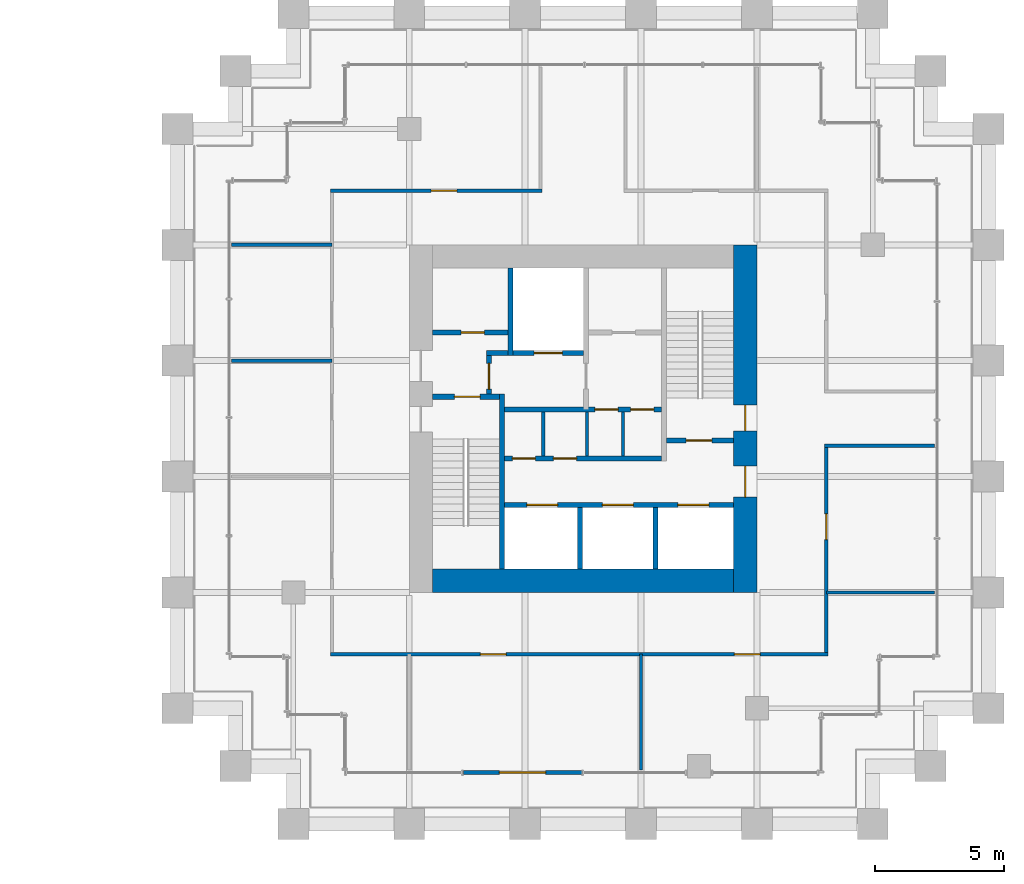
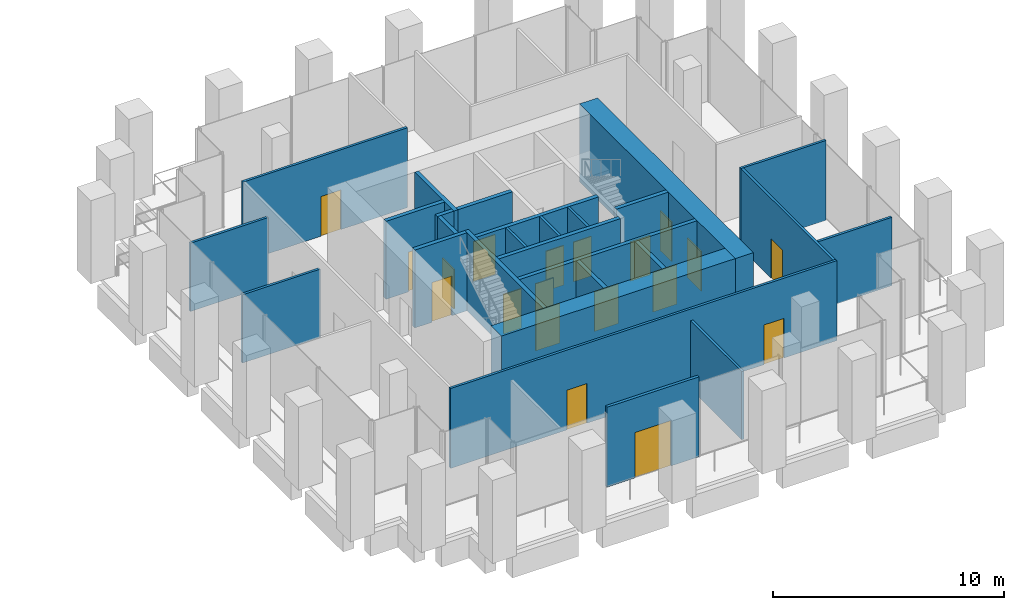
# One storey, part 32 of 36: 27 walls, 19 doors, 19 openings.
"""IFC4 building model written with IfcOpenShell, lengths in metres."""

from ifc_helpers import new_model, si_unit, direction, frame, frame_2d, origin, place, context, subcontext, project, spatial, rectangle, extrude, material, layer, layer_set, type_object, element, fill, save


model = new_model("IFC4")

# Units and contexts
model_context = context("Model", 3, precision=1e-05, world=origin(), true_north=direction((0.0, 1.0)))
body_context = subcontext(model_context, "Body", "Model", "MODEL_VIEW")
ifc_project = project(units=[si_unit("LENGTHUNIT", "METRE"), si_unit("AREAUNIT", "SQUARE_METRE"), si_unit("VOLUMEUNIT", "CUBIC_METRE"), si_unit("PLANEANGLEUNIT", "RADIAN"), si_unit("MASSUNIT", "GRAM", prefix="KILO")], contexts=[model_context])

# Site, building, storey
site_placement = place(None, origin())
site = spatial("IfcSite", under=ifc_project, at=site_placement, CompositionType="ELEMENT")
building_placement = place(site_placement, origin())
building = spatial("IfcBuilding", under=site, at=building_placement, Name="Altepetl Exchange Towers", CompositionType="ELEMENT")
storey_placement = place(building_placement, frame((0.0, 0.0, 38.60009765625)))
storey = spatial("IfcBuildingStorey", under=building, at=storey_placement, Name="L08", CompositionType="ELEMENT", Elevation=38.60009765625)

# Wall, openings, doors
ifc_material_1 = material(Name="Concrete C70/85", Category="concrete")
ifc_layer_1 = layer(ifc_material_1, 0.89990234375)
ifc_layer_set_1 = layer_set([ifc_layer_1], Name="Concrete C70/85")
wall_type_1 = type_object("IfcWallType", Name="Core wall 900 reinforced concrete", PredefinedType="SHEAR", material=ifc_layer_set_1)
wall_1_placement = place(storey_placement, frame((116.550048828125, 36.0, 0.0), z_axis=(0.0, 0.0, 1.0), x_axis=(0.0, 1.0, 0.0)))
wall_1 = element("IfcWall", 1, at=wall_1_placement, inside=storey, type_object=wall_type_1, Name="wall:B:L08:K-coreE", PredefinedType="SHEAR", context=body_context, shape_type="SweptSolid", body=[
    extrude(rectangle(XDim=13.5, YDim=0.89990234375, at=frame_2d((6.75, 0.0))), origin(), (0.0, 0.0, 1.0), 4.125),
])
opening_1_placement = place(wall_1_placement, frame((3.699951171875, 0.0, 0.0)))
opening_1 = element("IfcOpeningElement", 2, at=opening_1_placement, cuts=wall_1, Name="Opening L08.B61", PredefinedType="OPENING", context=body_context, shape_type="SweptSolid", body=[
    extrude(rectangle(XDim=1.199951171875, YDim=2.10009765625, at=frame_2d((0.60009765625, 1.050048828125))), frame((0.0, 0.4599609375, 0.0), z_axis=(0.0, -1.0, 0.0), x_axis=(1.0, 0.0, 0.0)), (0.0, 0.0, 1.0), 0.919921875),
])
opening_2_placement = place(wall_1_placement, frame((6.27490234375, 0.0, 0.0)))
opening_2 = element("IfcOpeningElement", 3, at=opening_2_placement, cuts=wall_1, Name="Opening L08.B65", PredefinedType="OPENING", context=body_context, shape_type="SweptSolid", body=[
    extrude(rectangle(XDim=1.0, YDim=2.10009765625, at=frame_2d((0.5, 1.050048828125))), frame((0.0, 0.4599609375, 0.0), z_axis=(0.0, -1.0, 0.0), x_axis=(1.0, 0.0, 0.0)), (0.0, 0.0, 1.0), 0.919921875),
])
ifc_material_2 = material(Name="Steel and timber fire door", Category="steel")
door_type_1 = type_object("IfcDoorType", Name="Fire door 1000 x 2100 stair and lobby", OperationType="SINGLE_SWING_LEFT", PredefinedType="DOOR", material=ifc_material_2)
door_1_placement = place(opening_2_placement, origin())
door_1 = element("IfcDoor", 4, at=door_1_placement, inside=storey, type_object=door_type_1, Name="door:B:L08:K-dS2x", OperationType="SINGLE_SWING_LEFT", OverallHeight=2.10009765625, OverallWidth=1.0, PredefinedType="DOOR", context=body_context, shape_type="SweptSolid", body=[
    extrude(rectangle(XDim=1.0, YDim=2.10009765625, at=frame_2d((0.5, 1.050048828125))), frame((0.0, 0.02490234375, 0.0), z_axis=(0.0, -1.0, 0.0), x_axis=(1.0, 0.0, 0.0)), (0.0, 0.0, 1.0), 0.050048828125),
])
fill(opening_2, door_1)
door_type_2 = type_object("IfcDoorType", Name="Fire door 1200 x 2100 lobby entry", OperationType="SINGLE_SWING_LEFT", PredefinedType="DOOR", material=ifc_material_2)
door_2_placement = place(opening_1_placement, origin())
door_2 = element("IfcDoor", 5, at=door_2_placement, inside=storey, type_object=door_type_2, Name="door:B:L08:K-dLSE", OperationType="SINGLE_SWING_RIGHT", OverallHeight=2.10009765625, OverallWidth=1.199951171875, PredefinedType="DOOR", context=body_context, shape_type="SweptSolid", body=[
    extrude(rectangle(XDim=1.199951171875, YDim=2.10009765625, at=frame_2d((0.60009765625, 1.050048828125))), frame((0.0, 0.02490234375, 0.0), z_axis=(0.0, -1.0, 0.0), x_axis=(1.0, 0.0, 0.0)), (0.0, 0.0, 1.0), 0.050048828125),
])
fill(opening_1, door_2)

# Wall
wall_2_placement = place(storey_placement, frame((104.39990234375, 36.449951171875, 0.0)))
element("IfcWall", 6, at=wall_2_placement, inside=storey, type_object=wall_type_1, Name="wall:B:L08:K-coreS", PredefinedType="SHEAR", context=body_context, shape_type="SweptSolid", body=[
    extrude(rectangle(XDim=11.7001953125, YDim=0.89990234375, at=frame_2d((5.85009765625, 0.0))), origin(), (0.0, 0.0, 1.0), 4.125),
])

# Wall, opening, door
ifc_material_3 = material(Name="Aluminium composite cladding", Category="aluminium")
ifc_layer_2 = layer(ifc_material_3, 0.14990234375)
ifc_layer_set_2 = layer_set([ifc_layer_2], Name="Aluminium composite cladding")
wall_type_2 = type_object("IfcWallType", Name="Infill wall 150 aluminium panel", PredefinedType="SOLIDWALL", material=ifc_layer_set_2)
wall_3_placement = place(storey_placement, frame((105.60009765625, 29.0, 0.0)))
wall_3 = element("IfcWall", 7, at=wall_3_placement, inside=storey, type_object=wall_type_2, Name="Loggia door bay wall", PredefinedType="SOLIDWALL", context=body_context, shape_type="SweptSolid", body=[
    extrude(rectangle(XDim=4.599853515625, YDim=0.14990234375, at=frame_2d((2.2998046875, 0.0))), origin(), (0.0, 0.0, 1.0), 4.224853515625),
])
opening_3_placement = place(wall_3_placement, frame((1.39990234375, 0.0, 0.0)))
opening_3 = element("IfcOpeningElement", 8, at=opening_3_placement, cuts=wall_3, Name="Opening L08.B90", PredefinedType="OPENING", context=body_context, shape_type="SweptSolid", body=[
    extrude(rectangle(XDim=1.800048828125, YDim=2.39990234375, at=frame_2d((0.89990234375, 1.199951171875))), frame((0.0, 0.0849609375, 0.0), z_axis=(0.0, -1.0, 0.0), x_axis=(1.0, 0.0, 0.0)), (0.0, 0.0, 1.0), 0.169921875),
])
ifc_material_4 = material(Name="Aluminium 6063-T6 and glass", Category="aluminium")
door_type_3 = type_object("IfcDoorType", Name="Glazed door pair 1800x2400", OperationType="DOUBLE_DOOR_DOUBLE_SWING", PredefinedType="NOTDEFINED", material=ifc_material_4)
door_3_placement = place(opening_3_placement, frame((1.800048828125, 0.0, 0.0), x_axis=(-1.0, 0.0, 0.0)))
door_3 = element("IfcDoor", 9, at=door_3_placement, inside=storey, type_object=door_type_3, Name="Loggia door", OperationType="DOUBLE_DOOR_DOUBLE_SWING", OverallHeight=2.39990234375, OverallWidth=1.800048828125, PredefinedType="NOTDEFINED", context=body_context, shape_type="SweptSolid", body=[
    extrude(rectangle(XDim=1.800048828125, YDim=2.39990234375, at=frame_2d((0.89990234375, 1.199951171875))), frame((0.0, 0.02490234375, 0.0), z_axis=(0.0, -1.0, 0.0), x_axis=(1.0, 0.0, 0.0)), (0.0, 0.0, 1.0), 0.050048828125),
])
fill(opening_3, door_3)

# Wall
ifc_material_5 = material(Name="Concrete blockwork", Category="masonry")
ifc_layer_3 = layer(ifc_material_5, 0.199951171875)
ifc_layer_set_3 = layer_set([ifc_layer_3], Name="Concrete blockwork")
wall_type_3 = type_object("IfcWallType", Name="Lobby wall 200 blockwork", PredefinedType="PARTITIONING", material=ifc_layer_set_3)
wall_4_placement = place(storey_placement, frame((106.5, 45.300048828125, 0.0)))
element("IfcWall", 10, at=wall_4_placement, inside=storey, type_object=wall_type_3, Name="wall:B:L08:K-ffNw", PredefinedType="PARTITIONING", context=body_context, shape_type="SweptSolid", body=[
    extrude(rectangle(XDim=0.833251953125, YDim=0.199951171875, at=frame_2d((0.41650390625, 0.0))), origin(), (0.0, 0.0, 1.0), 4.125),
])

# Wall, opening, door
wall_5_placement = place(storey_placement, frame((106.60009765625, 43.699951171875, 0.0), z_axis=(0.0, 0.0, 1.0), x_axis=(0.0, 1.0, 0.0)))
wall_5 = element("IfcWall", 11, at=wall_5_placement, inside=storey, type_object=wall_type_3, Name="wall:B:L08:K-ffW", PredefinedType="PARTITIONING", context=body_context, shape_type="SweptSolid", body=[
    extrude(rectangle(XDim=1.5, YDim=0.199951171875, at=frame_2d((0.75, 0.0))), origin(), (0.0, 0.0, 1.0), 4.125),
])
opening_4_placement = place(wall_5_placement, frame((0.199951171875, 0.0, 0.0)))
opening_4 = element("IfcOpeningElement", 12, at=opening_4_placement, cuts=wall_5, Name="Opening L08.B67", PredefinedType="OPENING", context=body_context, shape_type="SweptSolid", body=[
    extrude(rectangle(XDim=1.0, YDim=2.10009765625, at=frame_2d((0.5, 1.050048828125))), frame((0.0, 0.10986328125, 0.0), z_axis=(0.0, -1.0, 0.0), x_axis=(1.0, 0.0, 0.0)), (0.0, 0.0, 1.0), 0.219970703125),
])
door_4_placement = place(opening_4_placement, frame((1.0, 0.0, 0.0), x_axis=(-1.0, 0.0, 0.0)))
door_4 = element("IfcDoor", 13, at=door_4_placement, inside=storey, type_object=door_type_1, Name="door:B:L08:K-dffW", OperationType="SINGLE_SWING_LEFT", OverallHeight=2.10009765625, OverallWidth=1.0, PredefinedType="DOOR", context=body_context, shape_type="SweptSolid", body=[
    extrude(rectangle(XDim=1.0, YDim=2.10009765625, at=frame_2d((0.5, 1.050048828125))), frame((0.0, 0.02490234375, 0.0), z_axis=(0.0, -1.0, 0.0), x_axis=(1.0, 0.0, 0.0)), (0.0, 0.0, 1.0), 0.050048828125),
])
fill(opening_4, door_4)

# Wall, openings, doors
wall_6_placement = place(storey_placement, frame((107.199951171875, 43.10009765625, 0.0)))
wall_6 = element("IfcWall", 14, at=wall_6_placement, inside=storey, type_object=wall_type_3, Name="wall:B:L08:K-zoneN", PredefinedType="PARTITIONING", context=body_context, shape_type="SweptSolid", body=[
    extrude(rectangle(XDim=6.10009765625, YDim=0.199951171875, at=frame_2d((3.050048828125, 0.0))), origin(), (0.0, 0.0, 1.0), 4.125),
])
opening_5_placement = place(wall_6_placement, frame((3.508544921875, 0.0, 0.0)))
opening_5 = element("IfcOpeningElement", 15, at=opening_5_placement, cuts=wall_6, Name="Opening L08.B72", PredefinedType="OPENING", context=body_context, shape_type="SweptSolid", body=[
    extrude(rectangle(XDim=0.89990234375, YDim=2.10009765625, at=frame_2d((0.449951171875, 1.050048828125))), frame((0.0, 0.10986328125, 0.0), z_axis=(0.0, -1.0, 0.0), x_axis=(1.0, 0.0, 0.0)), (0.0, 0.0, 1.0), 0.219970703125),
])
opening_6_placement = place(wall_6_placement, frame((4.89990234375, 0.0, 0.0)))
opening_6 = element("IfcOpeningElement", 16, at=opening_6_placement, cuts=wall_6, Name="Opening L08.B73", PredefinedType="OPENING", context=body_context, shape_type="SweptSolid", body=[
    extrude(rectangle(XDim=0.89990234375, YDim=2.10009765625, at=frame_2d((0.449951171875, 1.050048828125))), frame((0.0, 0.10986328125, 0.0), z_axis=(0.0, -1.0, 0.0), x_axis=(1.0, 0.0, 0.0)), (0.0, 0.0, 1.0), 0.219970703125),
])
door_type_4 = type_object("IfcDoorType", Name="Fire door 900 x 2100 service room", OperationType="SINGLE_SWING_LEFT", PredefinedType="DOOR", material=ifc_material_2)
door_5_placement = place(opening_5_placement, frame((0.89990234375, 0.0, 0.0), x_axis=(-1.0, 0.0, 0.0)))
door_5 = element("IfcDoor", 17, at=door_5_placement, inside=storey, type_object=door_type_4, Name="door:B:L08:K-dz3", OperationType="SINGLE_SWING_RIGHT", OverallHeight=2.10009765625, OverallWidth=0.89990234375, PredefinedType="DOOR", context=body_context, shape_type="SweptSolid", body=[
    extrude(rectangle(XDim=0.89990234375, YDim=2.10009765625, at=frame_2d((0.449951171875, 1.050048828125))), frame((0.0, 0.02490234375, 0.0), z_axis=(0.0, -1.0, 0.0), x_axis=(1.0, 0.0, 0.0)), (0.0, 0.0, 1.0), 0.050048828125),
])
fill(opening_5, door_5)
door_6_placement = place(opening_6_placement, frame((0.89990234375, 0.0, 0.0), x_axis=(-1.0, 0.0, 0.0)))
door_6 = element("IfcDoor", 18, at=door_6_placement, inside=storey, type_object=door_type_4, Name="door:B:L08:K-dz4", OperationType="SINGLE_SWING_RIGHT", OverallHeight=2.10009765625, OverallWidth=0.89990234375, PredefinedType="DOOR", context=body_context, shape_type="SweptSolid", body=[
    extrude(rectangle(XDim=0.89990234375, YDim=2.10009765625, at=frame_2d((0.449951171875, 1.050048828125))), frame((0.0, 0.02490234375, 0.0), z_axis=(0.0, -1.0, 0.0), x_axis=(1.0, 0.0, 0.0)), (0.0, 0.0, 1.0), 0.050048828125),
])
fill(opening_6, door_6)

wall_7_placement = place(storey_placement, frame((107.199951171875, 41.199951171875, 0.0)))
wall_7 = element("IfcWall", 19, at=wall_7_placement, inside=storey, type_object=wall_type_3, Name="wall:B:L08:K-zoneS", PredefinedType="PARTITIONING", context=body_context, shape_type="SweptSolid", body=[
    extrude(rectangle(XDim=6.10009765625, YDim=0.199951171875, at=frame_2d((3.050048828125, 0.0))), origin(), (0.0, 0.0, 1.0), 4.125),
])
opening_7_placement = place(wall_7_placement, frame((0.300048828125, 0.0, 0.0)))
opening_7 = element("IfcOpeningElement", 20, at=opening_7_placement, cuts=wall_7, Name="Opening L08.B70", PredefinedType="OPENING", context=body_context, shape_type="SweptSolid", body=[
    extrude(rectangle(XDim=0.89990234375, YDim=2.10009765625, at=frame_2d((0.449951171875, 1.050048828125))), frame((0.0, 0.10986328125, 0.0), z_axis=(0.0, -1.0, 0.0), x_axis=(1.0, 0.0, 0.0)), (0.0, 0.0, 1.0), 0.219970703125),
])
opening_8_placement = place(wall_7_placement, frame((1.89990234375, 0.0, 0.0)))
opening_8 = element("IfcOpeningElement", 21, at=opening_8_placement, cuts=wall_7, Name="Opening L08.B71", PredefinedType="OPENING", context=body_context, shape_type="SweptSolid", body=[
    extrude(rectangle(XDim=0.89990234375, YDim=2.10009765625, at=frame_2d((0.449951171875, 1.050048828125))), frame((0.0, 0.10986328125, 0.0), z_axis=(0.0, -1.0, 0.0), x_axis=(1.0, 0.0, 0.0)), (0.0, 0.0, 1.0), 0.219970703125),
])
door_7_placement = place(opening_7_placement, origin())
door_7 = element("IfcDoor", 22, at=door_7_placement, inside=storey, type_object=door_type_4, Name="door:B:L08:K-dz1", OperationType="SINGLE_SWING_RIGHT", OverallHeight=2.10009765625, OverallWidth=0.89990234375, PredefinedType="DOOR", context=body_context, shape_type="SweptSolid", body=[
    extrude(rectangle(XDim=0.89990234375, YDim=2.10009765625, at=frame_2d((0.449951171875, 1.050048828125))), frame((0.0, 0.02490234375, 0.0), z_axis=(0.0, -1.0, 0.0), x_axis=(1.0, 0.0, 0.0)), (0.0, 0.0, 1.0), 0.050048828125),
])
fill(opening_7, door_7)
door_8_placement = place(opening_8_placement, origin())
door_8 = element("IfcDoor", 23, at=door_8_placement, inside=storey, type_object=door_type_4, Name="door:B:L08:K-dz2", OperationType="SINGLE_SWING_RIGHT", OverallHeight=2.10009765625, OverallWidth=0.89990234375, PredefinedType="DOOR", context=body_context, shape_type="SweptSolid", body=[
    extrude(rectangle(XDim=0.89990234375, YDim=2.10009765625, at=frame_2d((0.449951171875, 1.050048828125))), frame((0.0, 0.02490234375, 0.0), z_axis=(0.0, -1.0, 0.0), x_axis=(1.0, 0.0, 0.0)), (0.0, 0.0, 1.0), 0.050048828125),
])
fill(opening_8, door_8)

# Walls
ifc_material_6 = material(Name="Gypsum board on steel studs", Category="steel")
ifc_layer_4 = layer(ifc_material_6, 0.125)
ifc_layer_set_4 = layer_set([ifc_layer_4], Name="Gypsum board on steel studs")
wall_type_4 = type_object("IfcWallType", Name="Partition 125 gypsum board on steel studs", PredefinedType="PARTITIONING", material=ifc_layer_set_4)
for number, where, z_axis, x_axis, name in (
    (24, (108.699951171875, 41.300048828125, 0.0), (0.0, 0.0, 1.0), (0.0, 1.0, 0.0), "wall:B:L08:K-zp1"),
    (25, (110.39990234375, 41.300048828125, 0.0), (0.0, 0.0, 1.0), (0.0, 1.0, 0.0), "wall:B:L08:K-zp2"),
    (26, (111.800048828125, 41.300048828125, 0.0), (0.0, 0.0, 1.0), (0.0, 1.0, 0.0), "wall:B:L08:K-zp3"),
):
    element("IfcWall", number, at=place(storey_placement, frame(where, z_axis=z_axis, x_axis=x_axis)), inside=storey, type_object=wall_type_4, Name=name, PredefinedType="PARTITIONING", context=body_context, shape_type="SweptSolid", body=[
        extrude(rectangle(XDim=1.699951171875, YDim=0.125, at=frame_2d((0.85009765625, 0.0))), origin(), (0.0, 0.0, 1.0), 4.125),
    ])

# Wall, openings, doors
wall_8_placement = place(storey_placement, frame((100.4375, 33.60009765625, 0.0)))
wall_8 = element("IfcWall", 27, at=wall_8_placement, inside=storey, type_object=wall_type_4, Name="wall:B:L08:P01", PredefinedType="PARTITIONING", context=body_context, shape_type="SweptSolid", body=[
    extrude(rectangle(XDim=19.324951171875, YDim=0.125, at=frame_2d((9.66259765625, 0.0))), origin(), (0.0, 0.0, 1.0), 4.224853515625),
])
opening_9_placement = place(wall_8_placement, frame((5.819580078125, 0.0, 0.0)))
opening_9 = element("IfcOpeningElement", 28, at=opening_9_placement, cuts=wall_8, Name="Opening L08.B02", PredefinedType="OPENING", context=body_context, shape_type="SweptSolid", body=[
    extrude(rectangle(XDim=1.0, YDim=2.10009765625, at=frame_2d((0.5, 1.050048828125))), frame((0.0, 0.072509765625, 0.0), z_axis=(0.0, -1.0, 0.0), x_axis=(1.0, 0.0, 0.0)), (0.0, 0.0, 1.0), 0.14501953125),
])
opening_10_placement = place(wall_8_placement, frame((15.685546875, 0.0, 0.0)))
opening_10 = element("IfcOpeningElement", 29, at=opening_10_placement, cuts=wall_8, Name="Opening L08.B03", PredefinedType="OPENING", context=body_context, shape_type="SweptSolid", body=[
    extrude(rectangle(XDim=1.0, YDim=2.10009765625, at=frame_2d((0.5, 1.050048828125))), frame((0.0, 0.072509765625, 0.0), z_axis=(0.0, -1.0, 0.0), x_axis=(1.0, 0.0, 0.0)), (0.0, 0.0, 1.0), 0.14501953125),
])
door_type_5 = type_object("IfcDoorType", Name="Fire door 1000 x 2100 single leaf", OperationType="SINGLE_SWING_LEFT", PredefinedType="DOOR", material=ifc_material_2)
door_9_placement = place(opening_9_placement, frame((1.0, 0.0, 0.0), x_axis=(-1.0, 0.0, 0.0)))
door_9 = element("IfcDoor", 30, at=door_9_placement, inside=storey, type_object=door_type_5, Name="door:B:L08:02", OperationType="SINGLE_SWING_RIGHT", OverallHeight=2.10009765625, OverallWidth=1.0, PredefinedType="DOOR", context=body_context, shape_type="SweptSolid", body=[
    extrude(rectangle(XDim=1.0, YDim=2.10009765625, at=frame_2d((0.5, 1.050048828125))), frame((0.0, 0.02490234375, 0.0), z_axis=(0.0, -1.0, 0.0), x_axis=(1.0, 0.0, 0.0)), (0.0, 0.0, 1.0), 0.050048828125),
])
fill(opening_9, door_9)
door_10_placement = place(opening_10_placement, frame((1.0, 0.0, 0.0), x_axis=(-1.0, 0.0, 0.0)))
door_10 = element("IfcDoor", 31, at=door_10_placement, inside=storey, type_object=door_type_5, Name="door:B:L08:03", OperationType="SINGLE_SWING_RIGHT", OverallHeight=2.10009765625, OverallWidth=1.0, PredefinedType="DOOR", context=body_context, shape_type="SweptSolid", body=[
    extrude(rectangle(XDim=1.0, YDim=2.10009765625, at=frame_2d((0.5, 1.050048828125))), frame((0.0, 0.02490234375, 0.0), z_axis=(0.0, -1.0, 0.0), x_axis=(1.0, 0.0, 0.0)), (0.0, 0.0, 1.0), 0.050048828125),
])
fill(opening_10, door_10)

# Walls
wall_9_placement = place(storey_placement, frame((119.699951171875, 36.0, 0.0)))
element("IfcWall", 32, at=wall_9_placement, inside=storey, type_object=wall_type_4, Name="wall:B:L08:P02", PredefinedType="PARTITIONING", context=body_context, shape_type="SweptSolid", body=[
    extrude(rectangle(XDim=4.199951171875, YDim=0.125, at=frame_2d((2.10009765625, 0.0))), origin(), (0.0, 0.0, 1.0), 3.61279296875),
])
wall_10_placement = place(storey_placement, frame((119.637451171875, 41.699951171875, 0.0)))
element("IfcWall", 33, at=wall_10_placement, inside=storey, type_object=wall_type_4, Name="wall:B:L08:P04", PredefinedType="PARTITIONING", context=body_context, shape_type="SweptSolid", body=[
    extrude(rectangle(XDim=4.262451171875, YDim=0.125, at=frame_2d((2.13134765625, 0.0))), origin(), (0.0, 0.0, 1.0), 4.224853515625),
])
for number, where, name in (
    (34, (96.60009765625, 45.0, 0.0), "wall:B:L08:P06"),
    (35, (96.60009765625, 49.5, 0.0), "wall:B:L08:P07"),
):
    element("IfcWall", number, at=place(storey_placement, frame(where)), inside=storey, type_object=wall_type_4, Name=name, PredefinedType="PARTITIONING", context=body_context, shape_type="SweptSolid", body=[
        extrude(rectangle(XDim=3.89990234375, YDim=0.125, at=frame_2d((1.949951171875, 0.0))), origin(), (0.0, 0.0, 1.0), 3.61279296875),
    ])

# Wall, opening, door
wall_11_placement = place(storey_placement, frame((100.4375, 51.60009765625, 0.0)))
wall_11 = element("IfcWall", 36, at=wall_11_placement, inside=storey, type_object=wall_type_4, Name="wall:B:L08:P08", PredefinedType="PARTITIONING", context=body_context, shape_type="SweptSolid", body=[
    extrude(rectangle(XDim=8.22509765625, YDim=0.125, at=frame_2d((4.112548828125, 0.0))), origin(), (0.0, 0.0, 1.0), 4.224853515625),
])
opening_11_placement = place(wall_11_placement, frame((3.91259765625, 0.0, 0.0)))
opening_11 = element("IfcOpeningElement", 37, at=opening_11_placement, cuts=wall_11, Name="Opening L08.B07", PredefinedType="OPENING", context=body_context, shape_type="SweptSolid", body=[
    extrude(rectangle(XDim=1.0, YDim=2.10009765625, at=frame_2d((0.5, 1.050048828125))), frame((0.0, 0.072509765625, 0.0), z_axis=(0.0, -1.0, 0.0), x_axis=(1.0, 0.0, 0.0)), (0.0, 0.0, 1.0), 0.14501953125),
])
door_11_placement = place(opening_11_placement, origin())
door_11 = element("IfcDoor", 38, at=door_11_placement, inside=storey, type_object=door_type_5, Name="door:B:L08:07", OperationType="SINGLE_SWING_RIGHT", OverallHeight=2.10009765625, OverallWidth=1.0, PredefinedType="DOOR", context=body_context, shape_type="SweptSolid", body=[
    extrude(rectangle(XDim=1.0, YDim=2.10009765625, at=frame_2d((0.5, 1.050048828125))), frame((0.0, 0.02490234375, 0.0), z_axis=(0.0, -1.0, 0.0), x_axis=(1.0, 0.0, 0.0)), (0.0, 0.0, 1.0), 0.050048828125),
])
fill(opening_11, door_11)

# Wall
wall_12_placement = place(storey_placement, frame((112.5, 29.10009765625, 0.0), z_axis=(0.0, 0.0, 1.0), x_axis=(0.0, 1.0, 0.0)))
element("IfcWall", 39, at=wall_12_placement, inside=storey, type_object=wall_type_4, Name="wall:B:L08:P14", PredefinedType="PARTITIONING", context=body_context, shape_type="SweptSolid", body=[
    extrude(rectangle(XDim=4.5, YDim=0.125, at=frame_2d((2.25, 0.0))), origin(), (0.0, 0.0, 1.0), 3.61279296875),
])

# Wall, opening, door
wall_13_placement = place(storey_placement, frame((119.699951171875, 33.66259765625, 0.0), z_axis=(0.0, 0.0, 1.0), x_axis=(0.0, 1.0, 0.0)))
wall_13 = element("IfcWall", 40, at=wall_13_placement, inside=storey, type_object=wall_type_4, Name="wall:B:L08:P16", PredefinedType="PARTITIONING", context=body_context, shape_type="SweptSolid", body=[
    extrude(rectangle(XDim=7.974853515625, YDim=0.125, at=frame_2d((3.9873046875, 0.0))), origin(), (0.0, 0.0, 1.0), 4.224853515625),
])
opening_12_placement = place(wall_13_placement, frame((4.387451171875, 0.0, 0.0)))
opening_12 = element("IfcOpeningElement", 41, at=opening_12_placement, cuts=wall_13, Name="Opening L08.B04", PredefinedType="OPENING", context=body_context, shape_type="SweptSolid", body=[
    extrude(rectangle(XDim=1.0, YDim=2.10009765625, at=frame_2d((0.5, 1.050048828125))), frame((0.0, 0.072509765625, 0.0), z_axis=(0.0, -1.0, 0.0), x_axis=(1.0, 0.0, 0.0)), (0.0, 0.0, 1.0), 0.14501953125),
])
door_12_placement = place(opening_12_placement, frame((1.0, 0.0, 0.0), x_axis=(-1.0, 0.0, 0.0)))
door_12 = element("IfcDoor", 42, at=door_12_placement, inside=storey, type_object=door_type_5, Name="door:B:L08:04", OperationType="SINGLE_SWING_RIGHT", OverallHeight=2.10009765625, OverallWidth=1.0, PredefinedType="DOOR", context=body_context, shape_type="SweptSolid", body=[
    extrude(rectangle(XDim=1.0, YDim=2.10009765625, at=frame_2d((0.5, 1.050048828125))), frame((0.0, 0.02490234375, 0.0), z_axis=(0.0, -1.0, 0.0), x_axis=(1.0, 0.0, 0.0)), (0.0, 0.0, 1.0), 0.050048828125),
])
fill(opening_12, door_12)

# Walls
ifc_material_7 = material(Name="Concrete C40/50", Category="concrete")
ifc_layer_5 = layer(ifc_material_7, 0.199951171875)
ifc_layer_set_5 = layer_set([ifc_layer_5], Name="Concrete C40/50")
wall_type_5 = type_object("IfcWallType", Name="Shaft wall 200 reinforced concrete", PredefinedType="SHEAR", material=ifc_layer_set_5)
wall_14_placement = place(storey_placement, frame((107.433349609375, 48.60009765625, 0.0), z_axis=(0.0, 0.0, 1.0), x_axis=(0.0, -1.0, 0.0)))
element("IfcWall", 43, at=wall_14_placement, inside=storey, type_object=wall_type_5, Name="wall:B:L08:K-divN1", PredefinedType="SHEAR", context=body_context, shape_type="SweptSolid", body=[
    extrude(rectangle(XDim=3.400146484375, YDim=0.199951171875, at=frame_2d((1.7001953125, 0.0))), origin(), (0.0, 0.0, 1.0), 4.125),
])
for number, where, z_axis, x_axis, name in (
    (44, (110.13330078125, 36.89990234375, 0.0), (0.0, 0.0, 1.0), (0.0, 1.0, 0.0), "wall:B:L08:K-divS1"),
    (45, (113.066650390625, 36.89990234375, 0.0), (0.0, 0.0, 1.0), (0.0, 1.0, 0.0), "wall:B:L08:K-divS2"),
):
    element("IfcWall", number, at=place(storey_placement, frame(where, z_axis=z_axis, x_axis=x_axis)), inside=storey, type_object=wall_type_5, Name=name, PredefinedType="SHEAR", context=body_context, shape_type="SweptSolid", body=[
        extrude(rectangle(XDim=2.400146484375, YDim=0.199951171875, at=frame_2d((1.2001953125, 0.0))), origin(), (0.0, 0.0, 1.0), 4.125),
    ])

# Wall, opening, door
wall_15_placement = place(storey_placement, frame((104.39990234375, 46.10009765625, 0.0)))
wall_15 = element("IfcWall", 46, at=wall_15_placement, inside=storey, type_object=wall_type_5, Name="wall:B:L08:K-frontNa", PredefinedType="SHEAR", context=body_context, shape_type="SweptSolid", body=[
    extrude(rectangle(XDim=2.933349609375, YDim=0.199951171875, at=frame_2d((1.466796875, 0.0))), origin(), (0.0, 0.0, 1.0), 4.125),
])
opening_13_placement = place(wall_15_placement, frame((1.11669921875, 0.0, 0.0)))
opening_13 = element("IfcOpeningElement", 47, at=opening_13_placement, cuts=wall_15, Name="Opening L08.B68", PredefinedType="OPENING", context=body_context, shape_type="SweptSolid", body=[
    extrude(rectangle(XDim=0.89990234375, YDim=2.10009765625, at=frame_2d((0.449951171875, 1.050048828125))), frame((0.0, 0.10986328125, 0.0), z_axis=(0.0, -1.0, 0.0), x_axis=(1.0, 0.0, 0.0)), (0.0, 0.0, 1.0), 0.219970703125),
])
door_13_placement = place(opening_13_placement, origin())
door_13 = element("IfcDoor", 48, at=door_13_placement, inside=storey, type_object=door_type_4, Name="door:B:L08:K-dslotN0", OperationType="SINGLE_SWING_RIGHT", OverallHeight=2.10009765625, OverallWidth=0.89990234375, PredefinedType="DOOR", context=body_context, shape_type="SweptSolid", body=[
    extrude(rectangle(XDim=0.89990234375, YDim=2.10009765625, at=frame_2d((0.449951171875, 1.050048828125))), frame((0.0, 0.02490234375, 0.0), z_axis=(0.0, -1.0, 0.0), x_axis=(1.0, 0.0, 0.0)), (0.0, 0.0, 1.0), 0.050048828125),
])
fill(opening_13, door_13)

wall_16_placement = place(storey_placement, frame((107.533203125, 45.300048828125, 0.0)))
wall_16 = element("IfcWall", 49, at=wall_16_placement, inside=storey, type_object=wall_type_5, Name="wall:B:L08:K-frontNd", PredefinedType="SHEAR", context=body_context, shape_type="SweptSolid", body=[
    extrude(rectangle(XDim=2.7333984375, YDim=0.199951171875, at=frame_2d((1.36669921875, 0.0))), origin(), (0.0, 0.0, 1.0), 4.125),
])
opening_14_placement = place(wall_16_placement, frame((0.816650390625, 0.0, 0.0)))
opening_14 = element("IfcOpeningElement", 50, at=opening_14_placement, cuts=wall_16, Name="Opening L08.B74", PredefinedType="OPENING", context=body_context, shape_type="SweptSolid", body=[
    extrude(rectangle(XDim=1.10009765625, YDim=2.10009765625, at=frame_2d((0.550048828125, 1.050048828125))), frame((0.0, 0.10986328125, 0.0), z_axis=(0.0, -1.0, 0.0), x_axis=(1.0, 0.0, 0.0)), (0.0, 0.0, 1.0), 0.219970703125),
])
ifc_material_8 = material(Name="Stainless steel", Category="steel")
door_type_6 = type_object("IfcDoorType", Name="Lift landing door 1100 x 2100", OperationType="SLIDING_TO_LEFT", PredefinedType="DOOR", material=ifc_material_8)
door_14_placement = place(opening_14_placement, origin())
door_14 = element("IfcDoor", 51, at=door_14_placement, inside=storey, type_object=door_type_6, Name="Landing door FFL1", OperationType="SLIDING_TO_LEFT", OverallHeight=2.10009765625, OverallWidth=1.10009765625, PredefinedType="DOOR", context=body_context, shape_type="SweptSolid", body=[
    extrude(rectangle(XDim=1.10009765625, YDim=2.10009765625, at=frame_2d((0.550048828125, 1.050048828125))), frame((0.0, 0.02490234375, 0.0), z_axis=(0.0, -1.0, 0.0), x_axis=(1.0, 0.0, 0.0)), (0.0, 0.0, 1.0), 0.050048828125),
])
fill(opening_14, door_14)

# Wall, openings, doors
wall_17_placement = place(storey_placement, frame((107.199951171875, 39.39990234375, 0.0)))
wall_17 = element("IfcWall", 52, at=wall_17_placement, inside=storey, type_object=wall_type_5, Name="wall:B:L08:K-frontS", PredefinedType="SHEAR", context=body_context, shape_type="SweptSolid", body=[
    extrude(rectangle(XDim=8.900146484375, YDim=0.199951171875, at=frame_2d((4.4501953125, 0.0))), origin(), (0.0, 0.0, 1.0), 4.125),
])
opening_15_placement = place(wall_17_placement, frame((0.86669921875, 0.0, 0.0)))
opening_15 = element("IfcOpeningElement", 53, at=opening_15_placement, cuts=wall_17, Name="Opening L08.B75", PredefinedType="OPENING", context=body_context, shape_type="SweptSolid", body=[
    extrude(rectangle(XDim=1.199951171875, YDim=2.10009765625, at=frame_2d((0.60009765625, 1.050048828125))), frame((0.0, 0.10986328125, 0.0), z_axis=(0.0, -1.0, 0.0), x_axis=(1.0, 0.0, 0.0)), (0.0, 0.0, 1.0), 0.219970703125),
])
opening_16_placement = place(wall_17_placement, frame((3.800048828125, 0.0, 0.0)))
opening_16 = element("IfcOpeningElement", 54, at=opening_16_placement, cuts=wall_17, Name="Opening L08.B76", PredefinedType="OPENING", context=body_context, shape_type="SweptSolid", body=[
    extrude(rectangle(XDim=1.199951171875, YDim=2.10009765625, at=frame_2d((0.60009765625, 1.050048828125))), frame((0.0, 0.10986328125, 0.0), z_axis=(0.0, -1.0, 0.0), x_axis=(1.0, 0.0, 0.0)), (0.0, 0.0, 1.0), 0.219970703125),
])
opening_17_placement = place(wall_17_placement, frame((6.7333984375, 0.0, 0.0)))
opening_17 = element("IfcOpeningElement", 55, at=opening_17_placement, cuts=wall_17, Name="Opening L08.B77", PredefinedType="OPENING", context=body_context, shape_type="SweptSolid", body=[
    extrude(rectangle(XDim=1.199951171875, YDim=2.10009765625, at=frame_2d((0.60009765625, 1.050048828125))), frame((0.0, 0.10986328125, 0.0), z_axis=(0.0, -1.0, 0.0), x_axis=(1.0, 0.0, 0.0)), (0.0, 0.0, 1.0), 0.219970703125),
])
door_type_7 = type_object("IfcDoorType", Name="Lift landing door 1200 x 2100", OperationType="SLIDING_TO_LEFT", PredefinedType="DOOR", material=ifc_material_8)
door_15_placement = place(opening_15_placement, origin())
door_15 = element("IfcDoor", 56, at=door_15_placement, inside=storey, type_object=door_type_7, Name="Landing door P1", OperationType="SLIDING_TO_LEFT", OverallHeight=2.10009765625, OverallWidth=1.199951171875, PredefinedType="DOOR", context=body_context, shape_type="SweptSolid", body=[
    extrude(rectangle(XDim=1.199951171875, YDim=2.10009765625, at=frame_2d((0.60009765625, 1.050048828125))), frame((0.0, 0.02490234375, 0.0), z_axis=(0.0, -1.0, 0.0), x_axis=(1.0, 0.0, 0.0)), (0.0, 0.0, 1.0), 0.050048828125),
])
fill(opening_15, door_15)
door_16_placement = place(opening_16_placement, origin())
door_16 = element("IfcDoor", 57, at=door_16_placement, inside=storey, type_object=door_type_7, Name="Landing door P2", OperationType="SLIDING_TO_LEFT", OverallHeight=2.10009765625, OverallWidth=1.199951171875, PredefinedType="DOOR", context=body_context, shape_type="SweptSolid", body=[
    extrude(rectangle(XDim=1.199951171875, YDim=2.10009765625, at=frame_2d((0.60009765625, 1.050048828125))), frame((0.0, 0.02490234375, 0.0), z_axis=(0.0, -1.0, 0.0), x_axis=(1.0, 0.0, 0.0)), (0.0, 0.0, 1.0), 0.050048828125),
])
fill(opening_16, door_16)
door_17_placement = place(opening_17_placement, origin())
door_17 = element("IfcDoor", 58, at=door_17_placement, inside=storey, type_object=door_type_7, Name="Landing door P3", OperationType="SLIDING_TO_LEFT", OverallHeight=2.10009765625, OverallWidth=1.199951171875, PredefinedType="DOOR", context=body_context, shape_type="SweptSolid", body=[
    extrude(rectangle(XDim=1.199951171875, YDim=2.10009765625, at=frame_2d((0.60009765625, 1.050048828125))), frame((0.0, 0.02490234375, 0.0), z_axis=(0.0, -1.0, 0.0), x_axis=(1.0, 0.0, 0.0)), (0.0, 0.0, 1.0), 0.050048828125),
])
fill(opening_17, door_17)

# Wall
ifc_layer_6 = layer(ifc_material_7, 0.199951171875)
ifc_layer_set_6 = layer_set([ifc_layer_6], Name="Concrete C40/50")
wall_type_6 = type_object("IfcWallType", Name="Stair wall 200 reinforced concrete", PredefinedType="SHEAR", material=ifc_layer_set_6)
wall_18_placement = place(storey_placement, frame((107.10009765625, 36.89990234375, 0.0), z_axis=(0.0, 0.0, 1.0), x_axis=(0.0, 1.0, 0.0)))
element("IfcWall", 59, at=wall_18_placement, inside=storey, type_object=wall_type_6, Name="wall:B:L08:K-stS1E", PredefinedType="SHEAR", context=body_context, shape_type="SweptSolid", body=[
    extrude(rectangle(XDim=6.800048828125, YDim=0.199951171875, at=frame_2d((3.39990234375, 0.0))), origin(), (0.0, 0.0, 1.0), 4.125),
])

# Wall, opening, door
wall_19_placement = place(storey_placement, frame((104.39990234375, 43.60009765625, 0.0)))
wall_19 = element("IfcWall", 60, at=wall_19_placement, inside=storey, type_object=wall_type_6, Name="wall:B:L08:K-stS1N", PredefinedType="SHEAR", context=body_context, shape_type="SweptSolid", body=[
    extrude(rectangle(XDim=2.60009765625, YDim=0.199951171875, at=frame_2d((1.300048828125, 0.0))), origin(), (0.0, 0.0, 1.0), 4.125),
])
opening_18_placement = place(wall_19_placement, frame((0.85009765625, 0.0, 0.0)))
opening_18 = element("IfcOpeningElement", 61, at=opening_18_placement, cuts=wall_19, Name="Opening L08.B62", PredefinedType="OPENING", context=body_context, shape_type="SweptSolid", body=[
    extrude(rectangle(XDim=1.0, YDim=2.10009765625, at=frame_2d((0.5, 1.050048828125))), frame((0.0, 0.10986328125, 0.0), z_axis=(0.0, -1.0, 0.0), x_axis=(1.0, 0.0, 0.0)), (0.0, 0.0, 1.0), 0.219970703125),
])
door_18_placement = place(opening_18_placement, frame((1.0, 0.0, 0.0), x_axis=(-1.0, 0.0, 0.0)))
door_18 = element("IfcDoor", 62, at=door_18_placement, inside=storey, type_object=door_type_1, Name="door:B:L08:K-dS1in", OperationType="SINGLE_SWING_LEFT", OverallHeight=2.10009765625, OverallWidth=1.0, PredefinedType="DOOR", context=body_context, shape_type="SweptSolid", body=[
    extrude(rectangle(XDim=1.0, YDim=2.10009765625, at=frame_2d((0.5, 1.050048828125))), frame((0.0, 0.02490234375, 0.0), z_axis=(0.0, -1.0, 0.0), x_axis=(1.0, 0.0, 0.0)), (0.0, 0.0, 1.0), 0.050048828125),
])
fill(opening_18, door_18)

wall_20_placement = place(storey_placement, frame((113.5, 41.89990234375, 0.0)))
wall_20 = element("IfcWall", 63, at=wall_20_placement, inside=storey, type_object=wall_type_6, Name="wall:B:L08:K-stS2S", PredefinedType="SHEAR", context=body_context, shape_type="SweptSolid", body=[
    extrude(rectangle(XDim=2.60009765625, YDim=0.199951171875, at=frame_2d((1.300048828125, 0.0))), origin(), (0.0, 0.0, 1.0), 4.125),
])
opening_19_placement = place(wall_20_placement, frame((0.75, 0.0, 0.0)))
opening_19 = element("IfcOpeningElement", 64, at=opening_19_placement, cuts=wall_20, Name="Opening L08.B64", PredefinedType="OPENING", context=body_context, shape_type="SweptSolid", body=[
    extrude(rectangle(XDim=1.0, YDim=2.10009765625, at=frame_2d((0.5, 1.050048828125))), frame((0.0, 0.10986328125, 0.0), z_axis=(0.0, -1.0, 0.0), x_axis=(1.0, 0.0, 0.0)), (0.0, 0.0, 1.0), 0.219970703125),
])
door_19_placement = place(opening_19_placement, origin())
door_19 = element("IfcDoor", 65, at=door_19_placement, inside=storey, type_object=door_type_1, Name="door:B:L08:K-dS2in", OperationType="SINGLE_SWING_RIGHT", OverallHeight=2.10009765625, OverallWidth=1.0, PredefinedType="DOOR", context=body_context, shape_type="SweptSolid", body=[
    extrude(rectangle(XDim=1.0, YDim=2.10009765625, at=frame_2d((0.5, 1.050048828125))), frame((0.0, 0.02490234375, 0.0), z_axis=(0.0, -1.0, 0.0), x_axis=(1.0, 0.0, 0.0)), (0.0, 0.0, 1.0), 0.050048828125),
])
fill(opening_19, door_19)

save(model, "model.ifc")
